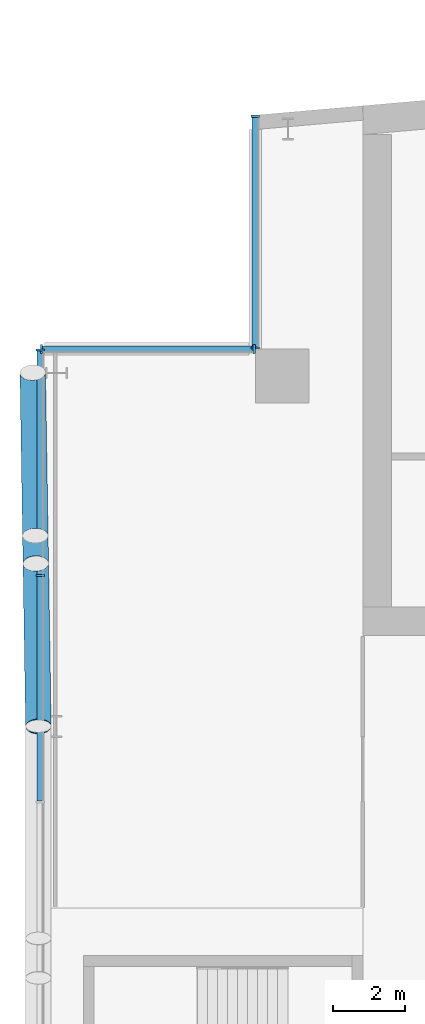
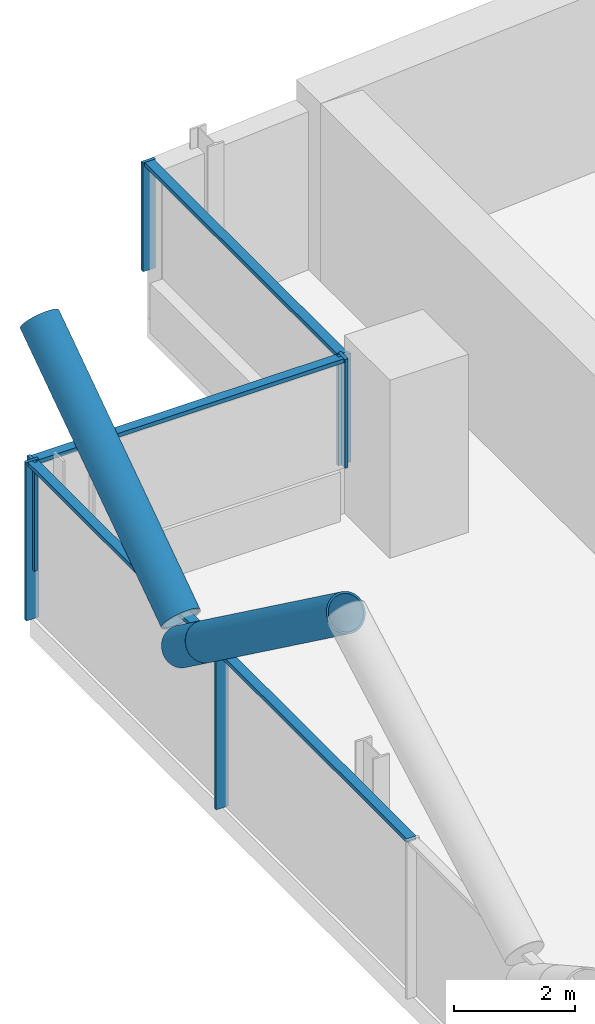
# One storey, part 9 of 30: 13 members, 3 elements without a shape of their own.
"""IFC4 building model written with IfcOpenShell, lengths in metres."""

from ifc_helpers import new_model, si_unit, direction, frame, origin, origin_2d, place, context, subcontext, project, spatial, rectangle, hollow_circle, extrude, material, material_profile, profile_set, type_object, element, aggregate, save


model = new_model("IFC4")

# Units and contexts
model_context = context("Model", 3, precision=1e-05, world=origin(), true_north=direction((0.0, 1.0)))
body_context = subcontext(model_context, "Body", "Model", "MODEL_VIEW")
ifc_project = project(units=[si_unit("LENGTHUNIT", "METRE"), si_unit("AREAUNIT", "SQUARE_METRE"), si_unit("VOLUMEUNIT", "CUBIC_METRE"), si_unit("PLANEANGLEUNIT", "RADIAN"), si_unit("MASSUNIT", "GRAM", prefix="KILO")], contexts=[model_context])

# Site, building, storey
site_placement = place(None, origin())
site = spatial("IfcSite", under=ifc_project, at=site_placement, CompositionType="ELEMENT")
building_placement = place(site_placement, origin())
building = spatial("IfcBuilding", under=site, at=building_placement, Name="Wharfspan Tower", CompositionType="ELEMENT")
storey_placement = place(building_placement, frame((0.0, 0.0, 151.899902)))
storey = spatial("IfcBuildingStorey", under=building, at=storey_placement, Name="L36", CompositionType="ELEMENT", Elevation=151.899902)

# Member
ifc_material_1 = material(Name="Steel S460NH", Category="steel")
ifc_material_profile_1 = material_profile(ifc_material_1, hollow_circle(Radius=0.355469, WallThickness=0.035889, at=origin_2d()))
ifc_profile_set_1 = profile_set([ifc_material_profile_1], Name="Steel S460NH")
member_type_1 = type_object("IfcMemberType", Name="Brace node tie CHS 711x36", PredefinedType="STRUT", material=ifc_profile_set_1)
member_1_placement = place(storey_placement, frame((6.860352, 36.782471, 2.62085), z_axis=(0.012882, -0.807687, 0.58947), x_axis=(0.999876, 0.015948, 1e-06)))
element("IfcMember", 1, at=member_1_placement, inside=storey, type_object=member_type_1, Name="Brace node tie L36 W4", PredefinedType="STRUT", context=body_context, shape_type="SweptSolid", body=[
    extrude(hollow_circle(Radius=0.355469, WallThickness=0.035889, at=origin_2d()), origin(), (0.0, 0.0, 1.0), 0.94751),
])

# Curtain wall, members
ifc_material_2 = material(Name="Aluminium 6063-T6", Category="aluminium")
curtain_wall_type = type_object("IfcCurtainWallType", Name="CURTAIN WALL PROW AND END", PredefinedType="NOTDEFINED", material=ifc_material_2)
curtain_wall_1_placement = place(storey_placement, origin())
curtain_wall_1 = element("IfcCurtainWall", 2, at=curtain_wall_1_placement, inside=storey, type_object=curtain_wall_type, Name="Curtain wall NRW-V", PredefinedType="NOTDEFINED")
ifc_material_profile_2 = material_profile(ifc_material_2, rectangle(XDim=0.23999, YDim=0.060059, at=origin_2d()))
ifc_profile_set_2 = profile_set([ifc_material_profile_2], Name="Aluminium 6063-T6")
member_type_2 = type_object("IfcMemberType", Name="MULLION PROW AND END 60x240", PredefinedType="MULLION", material=ifc_profile_set_2)
member_2_placement = place(storey_placement, frame((13.0, 48.494873, 1.0), z_axis=(0.0, 0.0, 1.0), x_axis=(1.0, 0.0, 0.0)))
member_2 = element("IfcMember", 3, at=member_2_placement, type_object=member_type_2, Name="Curtain wall NRW-V mullion 1", PredefinedType="MULLION", context=body_context, shape_type="SweptSolid", body=[
    extrude(rectangle(XDim=0.23999, YDim=0.060059, at=origin_2d()), origin(), (0.0, 0.0, 1.0), 2.200195),
])
member_3_placement = place(storey_placement, frame((13.0, 42.030029, 1.0), z_axis=(0.0, 0.0, 1.0), x_axis=(1.0, 0.0, 0.0)))
member_3 = element("IfcMember", 4, at=member_3_placement, type_object=member_type_2, Name="Curtain wall NRW-V mullion 2", PredefinedType="MULLION", context=body_context, shape_type="SweptSolid", body=[
    extrude(rectangle(XDim=0.23999, YDim=0.060059, at=origin_2d()), origin(), (0.0, 0.0, 1.0), 2.200195),
])

curtain_wall_2_placement = place(storey_placement, origin())
curtain_wall_2 = element("IfcCurtainWall", 5, at=curtain_wall_2_placement, inside=storey, type_object=curtain_wall_type, Name="Curtain wall NRW-H", PredefinedType="NOTDEFINED")
member_4_placement = place(storey_placement, frame((12.969971, 42.0, 1.0), z_axis=(0.0, 0.0, 1.0), x_axis=(0.0, -1.0, 0.0)))
member_4 = element("IfcMember", 6, at=member_4_placement, type_object=member_type_2, Name="Curtain wall NRW-H mullion 1", PredefinedType="MULLION", context=body_context, shape_type="SweptSolid", body=[
    extrude(rectangle(XDim=0.23999, YDim=0.060059, at=origin_2d()), origin(), (0.0, 0.0, 1.0), 2.200195),
])
member_5_placement = place(storey_placement, frame((7.030029, 42.0, 1.0), z_axis=(0.0, 0.0, 1.0), x_axis=(0.0, -1.0, 0.0)))
member_5 = element("IfcMember", 7, at=member_5_placement, type_object=member_type_2, Name="Curtain wall NRW-H mullion 2", PredefinedType="MULLION", context=body_context, shape_type="SweptSolid", body=[
    extrude(rectangle(XDim=0.23999, YDim=0.060059, at=origin_2d()), origin(), (0.0, 0.0, 1.0), 2.200195),
])

curtain_wall_3_placement = place(storey_placement, origin())
curtain_wall_3 = element("IfcCurtainWall", 8, at=curtain_wall_3_placement, inside=storey, type_object=curtain_wall_type, Name="Curtain wall W", PredefinedType="NOTDEFINED")
member_6_placement = place(storey_placement, frame((7.0, 41.969971, 0.0), z_axis=(0.0, 0.0, 1.0), x_axis=(1.0, 0.0, 0.0)))
member_6 = element("IfcMember", 9, at=member_6_placement, type_object=member_type_2, Name="Curtain wall W mullion 1", PredefinedType="MULLION", context=body_context, shape_type="SweptSolid", body=[
    extrude(rectangle(XDim=0.23999, YDim=0.060059, at=origin_2d()), origin(), (0.0, 0.0, 1.0), 3.200195),
])
member_7_placement = place(storey_placement, frame((7.0, 35.679932, 0.0), z_axis=(0.0, 0.0, 1.0), x_axis=(1.0, 0.0, 0.0)))
member_7 = element("IfcMember", 10, at=member_7_placement, type_object=member_type_2, Name="Curtain wall W mullion 2", PredefinedType="MULLION", context=body_context, shape_type="SweptSolid", body=[
    extrude(rectangle(XDim=0.23999, YDim=0.060059, at=origin_2d()), origin(), (0.0, 0.0, 1.0), 3.200195),
])

# Members
ifc_material_profile_3 = material_profile(ifc_material_1, hollow_circle(Radius=0.355469, WallThickness=0.035889, at=origin_2d()))
ifc_profile_set_3 = profile_set([ifc_material_profile_3], Name="Steel S460NH")
member_type_3 = type_object("IfcMemberType", Name="Mega brace CHS 711x36", PredefinedType="BRACE", material=ifc_profile_set_3)
member_8_placement = place(storey_placement, frame((6.872803, 36.009033, 3.185303), z_axis=(0.01285, -0.807732, 0.58941), x_axis=(0.999874, 0.015906, -1e-06)))
element("IfcMember", 11, at=member_8_placement, inside=storey, type_object=member_type_3, Name="Mega brace W4 L36 part 2", PredefinedType="BRACE", context=body_context, shape_type="SweptSolid", body=[
    extrude(hollow_circle(Radius=0.355469, WallThickness=0.035889, at=origin_2d()), origin(), (0.0, 0.0, 1.0), 5.623779),
])
member_9_placement = place(storey_placement, frame((6.860352, 36.790771, 3.185303), z_axis=(-0.012851, 0.807716, 0.589431), x_axis=(-0.999873, -0.015909, 1e-06)))
element("IfcMember", 12, at=member_9_placement, inside=storey, type_object=member_type_3, Name="Mega brace W4 L36 part 4", PredefinedType="BRACE", context=body_context, shape_type="SweptSolid", body=[
    extrude(hollow_circle(Radius=0.355469, WallThickness=0.035889, at=origin_2d()), origin(), (0.0, 0.0, 1.0), 5.623535),
])

# Member
ifc_material_profile_4 = material_profile(ifc_material_2, rectangle(XDim=0.179932, YDim=0.080078, at=origin_2d()))
ifc_profile_set_4 = profile_set([ifc_material_profile_4], Name="Aluminium 6063-T6")
member_type_4 = type_object("IfcMemberType", Name="TRANSOM PROW AND END 80x180", PredefinedType="USERDEFINED", material=ifc_profile_set_4)
member_10_placement = place(storey_placement, frame((13.0, 48.464844, 3.160156), z_axis=(0.0, -1.0, 0.0), x_axis=(1.0, 0.0, 0.0)))
member_10 = element("IfcMember", 13, at=member_10_placement, type_object=member_type_4, Name="Curtain wall NRW-V transom 1", ObjectType="TRANSOM", PredefinedType="USERDEFINED", context=body_context, shape_type="SweptSolid", body=[
    extrude(rectangle(XDim=0.179932, YDim=0.080078, at=origin_2d()), origin(), (0.0, 0.0, 1.0), 6.404785),
])

aggregate(curtain_wall_1, [member_2, member_3, member_10])

member_11_placement = place(storey_placement, frame((12.939941, 42.0, 3.160156), z_axis=(-1.0, 0.0, 0.0), x_axis=(0.0, -1.0, 0.0)))
member_11 = element("IfcMember", 14, at=member_11_placement, type_object=member_type_4, Name="Curtain wall NRW-H transom 1", ObjectType="TRANSOM", PredefinedType="USERDEFINED", context=body_context, shape_type="SweptSolid", body=[
    extrude(rectangle(XDim=0.179932, YDim=0.080078, at=origin_2d()), origin(), (0.0, 0.0, 1.0), 5.879883),
])

aggregate(curtain_wall_2, [member_4, member_5, member_11])

member_12_placement = place(storey_placement, frame((7.0, 41.939941, 3.160156), z_axis=(0.0, -1.0, 0.0), x_axis=(1.0, 0.0, 0.0)))
member_12 = element("IfcMember", 15, at=member_12_placement, type_object=member_type_4, Name="Curtain wall W transom 1", ObjectType="TRANSOM", PredefinedType="USERDEFINED", context=body_context, shape_type="SweptSolid", body=[
    extrude(rectangle(XDim=0.179932, YDim=0.080078, at=origin_2d()), origin(), (0.0, 0.0, 1.0), 6.22998),
])

member_13_placement = place(storey_placement, frame((7.0, 35.649902, 3.160156), z_axis=(0.0, -1.0, 0.0), x_axis=(1.0, 0.0, 0.0)))
member_13 = element("IfcMember", 16, at=member_13_placement, type_object=member_type_4, Name="Curtain wall W transom 2", ObjectType="TRANSOM", PredefinedType="USERDEFINED", context=body_context, shape_type="SweptSolid", body=[
    extrude(rectangle(XDim=0.179932, YDim=0.080078, at=origin_2d()), origin(), (0.0, 0.0, 1.0), 6.26001),
])

aggregate(curtain_wall_3, [member_6, member_7, member_12, member_13])

save(model, "model.ifc")
